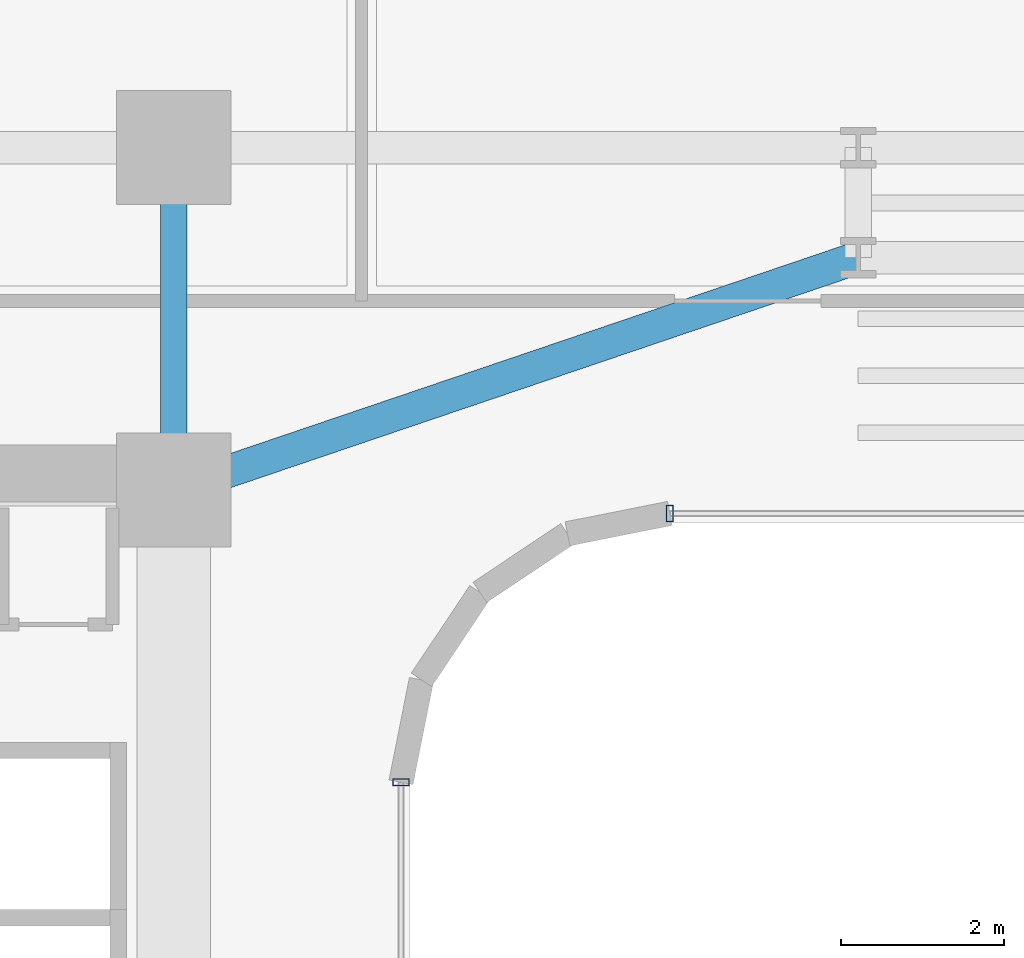
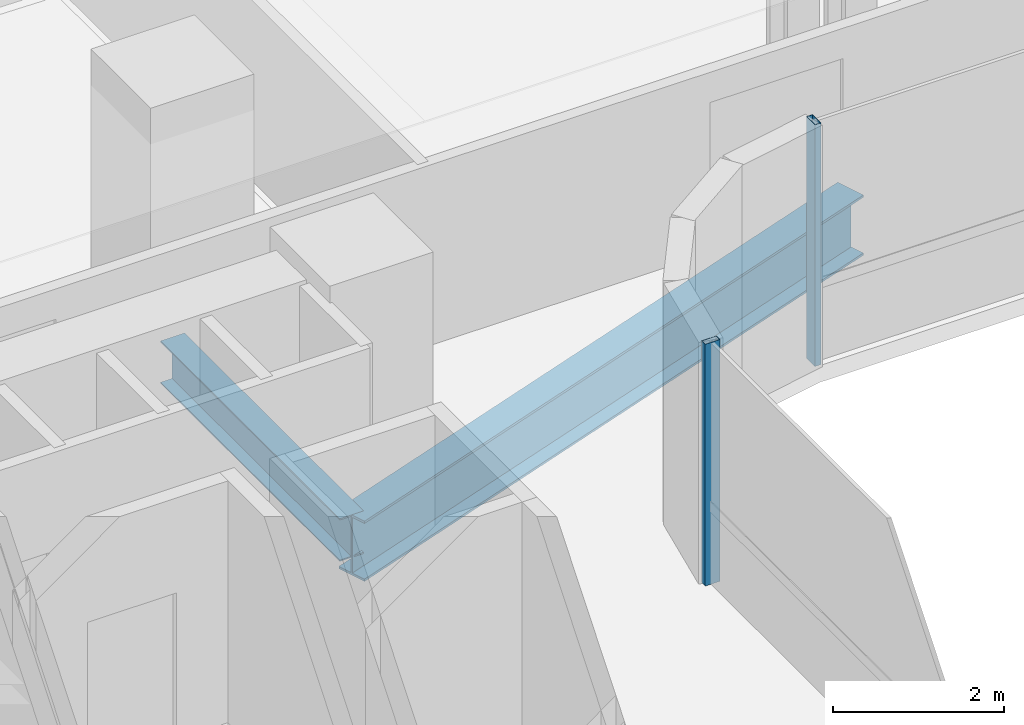
# One storey, part 13 of 40: 2 beams, 2 members, 2 elements without a shape of their own.
"""IFC4 building model written with IfcOpenShell, lengths in metres."""

from ifc_helpers import new_model, si_unit, direction, frame, origin, origin_2d, place, context, subcontext, project, spatial, hollow_rectangle, i_section, extrude, source, transform, mapped, material, material_profile, profile_set, type_object, element, aggregate, save


model = new_model("IFC4")

# Units and contexts
model_context = context("Model", 3, precision=1e-05, world=origin(), true_north=direction((0.0, 1.0)))
body_context = subcontext(model_context, "Body", "Model", "MODEL_VIEW")
ifc_project = project(units=[si_unit("LENGTHUNIT", "METRE"), si_unit("AREAUNIT", "SQUARE_METRE"), si_unit("VOLUMEUNIT", "CUBIC_METRE"), si_unit("PLANEANGLEUNIT", "RADIAN"), si_unit("MASSUNIT", "GRAM", prefix="KILO")], contexts=[model_context])

# Site, building, storey
site_placement = place(None, origin())
site = spatial("IfcSite", under=ifc_project, at=site_placement, CompositionType="ELEMENT")
building_placement = place(site_placement, origin())
building = spatial("IfcBuilding", under=site, at=building_placement, Name="Valdorenza Pilgrim Sanctuary Tower", CompositionType="ELEMENT")
storey_placement = place(building_placement, frame((0.0, 0.0, 48.199951171875)))
storey = spatial("IfcBuildingStorey", under=building, at=storey_placement, Name="L11", CompositionType="ELEMENT", Elevation=48.199951171875)

# Beams
ifc_material_1 = material(Name="Steel ASTM A992 Grade 50", Category="steel")
ifc_material_profile_1 = material_profile(ifc_material_1, i_section(OverallWidth=0.323974609375, OverallDepth=0.611083984375, WebThickness=0.0126953125, FlangeThickness=0.01904296875, at=origin_2d()), Name="W24X104")
ifc_profile_set_1 = profile_set([ifc_material_profile_1], Name="Steel ASTM A992 Grade 50")
beam_type_1 = type_object("IfcBeamType", Name="STR-BM-GRD-W24B", PredefinedType="BEAM", material=ifc_profile_set_1)
shared_shape_1 = source(origin(), body_context, "Body", "SweptSolid", [
    extrude(i_section(OverallWidth=0.323974609375, OverallDepth=0.611083984375, WebThickness=0.0126953125, FlangeThickness=0.01904296875, at=origin_2d()), origin(), (0.0, 0.0, 1.0), 4.199951171875),
])
beam_1_placement = place(storey_placement, frame((-12.39990234375, 10.60009765625, -0.54541015625), z_axis=(0.0, 1.0, 0.0), x_axis=(-1.0, 0.0, 0.0)))
element("IfcBeam", 1, at=beam_1_placement, inside=storey, type_object=beam_type_1, Name="L11 Core Tie Girder CA-E-N1N2", PredefinedType="BEAM", context=body_context, shape_type="MappedRepresentation", body=[
    mapped(shared_shape_1, transform((0.0, 0.0, 0.0), x_axis=(1.0, 0.0, 0.0), y_axis=(0.0, 1.0, 0.0), z_axis=(0.0, 0.0, 1.0), scale=1.0)),
])
ifc_material_profile_2 = material_profile(ifc_material_1, i_section(OverallWidth=0.39990234375, OverallDepth=0.862060546875, WebThickness=0.019775390625, FlangeThickness=0.032470703125, at=origin_2d()), Name="W33X221")
ifc_profile_set_2 = profile_set([ifc_material_profile_2], Name="Steel ASTM A992 Grade 50")
beam_type_2 = type_object("IfcBeamType", Name="STR-BM-GRD-W33", PredefinedType="BEAM", material=ifc_profile_set_2)
shared_shape_2 = source(origin(), body_context, "Body", "SweptSolid", [
    extrude(i_section(OverallWidth=0.39990234375, OverallDepth=0.862060546875, WebThickness=0.019775390625, FlangeThickness=0.032470703125, at=origin_2d()), origin(), (0.0, 0.0, 1.0), 8.8701171875),
])
beam_2_placement = place(storey_placement, frame((-12.39990234375, 10.60009765625, -0.6708984375), z_axis=(0.946982588361, 0.321284885018, 0.0), x_axis=(-0.321284885018, 0.946982588361, 0.0)))
element("IfcBeam", 2, at=beam_2_placement, inside=storey, type_object=beam_type_2, Name="L11 Floor Girder KNK-G1", PredefinedType="BEAM", context=body_context, shape_type="MappedRepresentation", body=[
    mapped(shared_shape_2, transform((0.0, 0.0, 0.0), x_axis=(1.0, 0.0, 0.0), y_axis=(0.0, 1.0, 0.0), z_axis=(0.0, 0.0, 1.0), scale=1.0)),
])

# Curtain wall, member
ifc_material_2 = material(Name="Curtain-wall IGU glazing", Category="glass")
curtain_wall_type = type_object("IfcCurtainWallType", Name="CW-SYS-02", PredefinedType="NOTDEFINED", material=ifc_material_2)
curtain_wall_1_placement = place(storey_placement, origin())
curtain_wall_1 = element("IfcCurtainWall", 3, at=curtain_wall_1_placement, inside=storey, type_object=curtain_wall_type, Name="L11 Curtain Wall CW-L11-1-36", PredefinedType="NOTDEFINED")
ifc_material_3 = material(Name="Anodised aluminium AW-6060", Category="aluminium")
ifc_material_profile_3 = material_profile(ifc_material_3, hollow_rectangle(XDim=0.0849609375, YDim=0.199951171875, WallThickness=0.0048828125, at=origin_2d()), Name="ALU-M 200x85x5")
ifc_profile_set_3 = profile_set([ifc_material_profile_3], Name="Anodised aluminium AW-6060")
member_type = type_object("IfcMemberType", Name="CW-MUL-02", PredefinedType="MULLION", material=ifc_profile_set_3)
shared_shape_3 = source(origin(), body_context, "Body", "SweptSolid", [
    extrude(hollow_rectangle(XDim=0.0849609375, YDim=0.199951171875, WallThickness=0.0048828125, at=origin_2d()), origin(), (0.0, 0.0, 1.0), 3.4599609375),
])
member_1_placement = place(storey_placement, frame((-6.310791015625, 10.31005859375, 0.0), z_axis=(0.0, 0.0, 1.0), x_axis=(-1.0, 0.0, 0.0)))
member_1 = element("IfcMember", 4, at=member_1_placement, type_object=member_type, Name="CW-L11-1-36 Mullion 4", PredefinedType="MULLION", context=body_context, shape_type="MappedRepresentation", body=[
    mapped(shared_shape_3, transform((0.0, 0.0, 0.0), x_axis=(1.0, 0.0, 0.0), y_axis=(0.0, 1.0, 0.0), z_axis=(0.0, 0.0, 1.0), scale=1.0)),
])
aggregate(curtain_wall_1, [member_1])

curtain_wall_2_placement = place(storey_placement, origin())
curtain_wall_2 = element("IfcCurtainWall", 5, at=curtain_wall_2_placement, inside=storey, type_object=curtain_wall_type, Name="L11 Curtain Wall CW-L11-1-41", PredefinedType="NOTDEFINED")
member_2_placement = place(storey_placement, frame((-9.610107421875, 7.0107421875, 0.0), z_axis=(0.0, 0.0, 1.0), x_axis=(0.0, -1.0, 0.0)))
member_2 = element("IfcMember", 6, at=member_2_placement, type_object=member_type, Name="CW-L11-1-41 Mullion 1", PredefinedType="MULLION", context=body_context, shape_type="MappedRepresentation", body=[
    mapped(shared_shape_3, transform((0.0, 0.0, 0.0), x_axis=(1.0, 0.0, 0.0), y_axis=(0.0, 1.0, 0.0), z_axis=(0.0, 0.0, 1.0), scale=1.0)),
])
aggregate(curtain_wall_2, [member_2])

save(model, "model.ifc")
